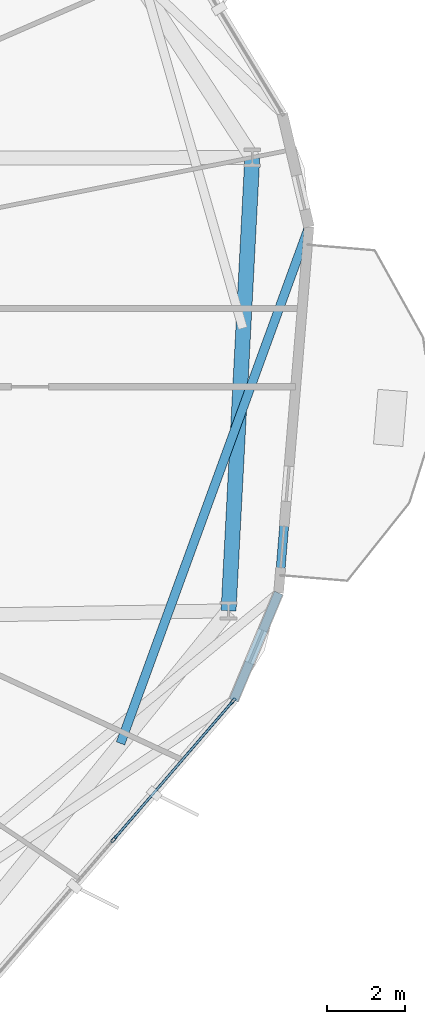
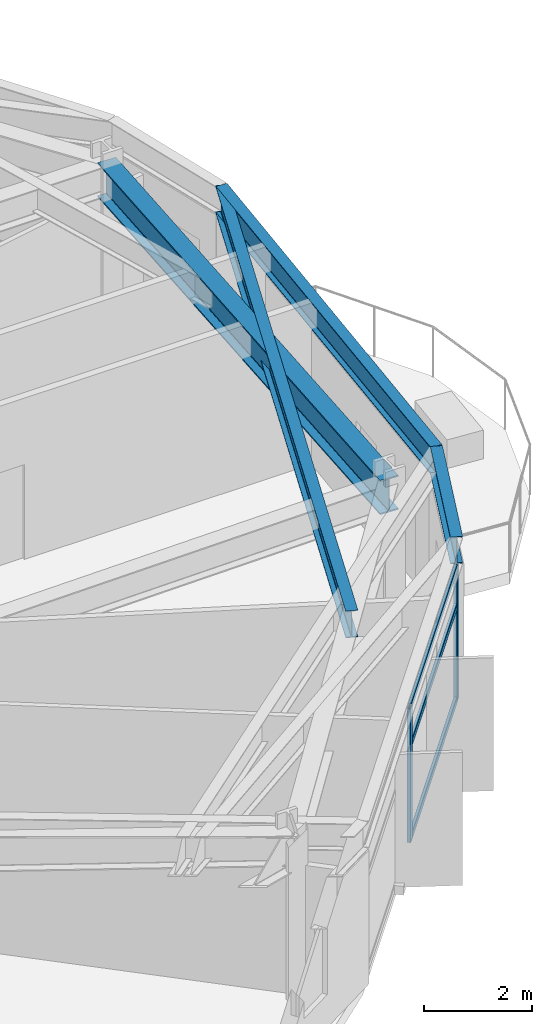
# One storey, part 9 of 21: 5 members, 4 beams, 1 element without a shape of its own.
"""IFC4 building model written with IfcOpenShell, lengths in metres."""

from ifc_helpers import new_model, si_unit, direction, frame, origin, origin_2d, place, context, subcontext, project, spatial, hollow_rectangle, i_section, extrude, material, layer, layer_set, material_profile, profile_set, type_object, element, aggregate, save


model = new_model("IFC4")

# Units and contexts
model_context = context("Model", 3, precision=1e-05, world=origin(), true_north=direction((0.0, 1.0)))
body_context = subcontext(model_context, "Body", "Model", "MODEL_VIEW")
ifc_project = project(units=[si_unit("LENGTHUNIT", "METRE"), si_unit("AREAUNIT", "SQUARE_METRE"), si_unit("VOLUMEUNIT", "CUBIC_METRE"), si_unit("PLANEANGLEUNIT", "RADIAN"), si_unit("MASSUNIT", "GRAM", prefix="KILO")], contexts=[model_context])

# Site, building, storey
site_placement = place(None, origin())
site = spatial("IfcSite", under=ifc_project, at=site_placement, CompositionType="ELEMENT")
building_placement = place(site_placement, origin())
building = spatial("IfcBuilding", under=site, at=building_placement, Name="Soratama Intermodal Tower", CompositionType="ELEMENT")
storey_placement = place(building_placement, frame((0.0, 0.0, 78.60009765625)))
storey = spatial("IfcBuildingStorey", under=building, at=storey_placement, Name="L18", CompositionType="ELEMENT", Elevation=78.60009765625)

# Beams
ifc_material_1 = material(Name="Structural steel ASTM A992 Grade 50", Category="steel")
ifc_material_profile_1 = material_profile(ifc_material_1, i_section(OverallWidth=0.382080078125, OverallDepth=0.779052734375, WebThickness=0.01806640625, FlangeThickness=0.030029296875, FilletRadius=0.01806640625, at=origin_2d()), Name="W30X191")
ifc_profile_set_1 = profile_set([ifc_material_profile_1], Name="Structural steel ASTM A992 Grade 50")
beam_type_1 = type_object("IfcBeamType", Name="BM-RING-W30X191", PredefinedType="BEAM", material=ifc_profile_set_1)
beam_1_placement = place(storey_placement, frame((62.47705078125, 18.291015625, 3.2705078125), z_axis=(0.052289698717, 0.998631957935, 0.0), x_axis=(-0.998631957935, 0.052289698717, 0.0)))
element("IfcBeam", 1, at=beam_1_placement, inside=storey, type_object=beam_type_1, Name="BM-L18-RING-10", PredefinedType="BEAM", context=body_context, shape_type="SweptSolid", body=[
    extrude(i_section(OverallWidth=0.382080078125, OverallDepth=0.779052734375, WebThickness=0.01806640625, FlangeThickness=0.030029296875, FilletRadius=0.01806640625, at=origin_2d()), origin(), (0.0, 0.0, 1.0), 11.56982421875),
])
ifc_material_2 = material(Name="Structural steel ASTM A992 Grade 50", Category="steel")
ifc_material_profile_2 = material_profile(ifc_material_2, i_section(OverallWidth=0.22900390625, OverallDepth=0.612060546875, WebThickness=0.011962890625, FlangeThickness=0.01953125, FilletRadius=0.012939453125, at=origin_2d()), Name="W24X84")
ifc_profile_set_2 = profile_set([ifc_material_profile_2], Name="Structural steel ASTM A992 Grade 50")
beam_type_2 = type_object("IfcBeamType", Name="BM-SPN-W24X84", PredefinedType="SPANDREL", material=ifc_profile_set_2)
beam_2_placement = place(storey_placement, frame((62.60693359375, 16.011962890625, 3.35400390625), z_axis=(0.386327000358, 0.922361886027, 0.0), x_axis=(-0.922361886027, 0.386327000358, 0.0)))
element("IfcBeam", 2, at=beam_2_placement, inside=storey, type_object=beam_type_2, Name="BS-L18-CRN09", PredefinedType="SPANDREL", context=body_context, shape_type="SweptSolid", body=[
    extrude(i_section(OverallWidth=0.22900390625, OverallDepth=0.612060546875, WebThickness=0.011962890625, FlangeThickness=0.01953125, FilletRadius=0.012939453125, at=origin_2d()), origin(), (0.0, 0.0, 1.0), 2.96630859375),
])
beam_3_placement = place(storey_placement, frame((63.7529296875, 18.748046875, 3.35400390625), z_axis=(0.082693689955, 0.996575011548, 0.0), x_axis=(-0.996575011548, 0.082693689955, 0.0)))
element("IfcBeam", 3, at=beam_3_placement, inside=storey, type_object=beam_type_2, Name="BS-L18-F10", PredefinedType="SPANDREL", context=body_context, shape_type="SweptSolid", body=[
    extrude(i_section(OverallWidth=0.22900390625, OverallDepth=0.612060546875, WebThickness=0.011962890625, FlangeThickness=0.01953125, FilletRadius=0.012939453125, at=origin_2d()), origin(), (0.0, 0.0, 1.0), 9.36181640625),
])
ifc_material_3 = material(Name="Structural steel ASTM A992 Grade 50", Category="steel")
ifc_material_profile_3 = material_profile(ifc_material_3, i_section(OverallWidth=0.22900390625, OverallDepth=0.612060546875, WebThickness=0.011962890625, FlangeThickness=0.01953125, FilletRadius=0.012939453125, at=origin_2d()), Name="W24X84")
ifc_profile_set_3 = profile_set([ifc_material_profile_3], Name="Structural steel ASTM A992 Grade 50")
beam_type_3 = type_object("IfcBeamType", Name="BM-TIE-W24X84", PredefinedType="BEAM", material=ifc_profile_set_3)
beam_4_placement = place(storey_placement, frame((59.72412109375, 14.9130859375, 3.35400390625), z_axis=(0.342737435568, 0.939431237643, 0.0), x_axis=(-0.939431237643, 0.342737435568, 0.0)))
element("IfcBeam", 4, at=beam_4_placement, inside=storey, type_object=beam_type_3, Name="BM-L18-TIE1-10", PredefinedType="BEAM", context=body_context, shape_type="SweptSolid", body=[
    extrude(i_section(OverallWidth=0.22900390625, OverallDepth=0.612060546875, WebThickness=0.011962890625, FlangeThickness=0.01953125, FilletRadius=0.012939453125, at=origin_2d()), origin(), (0.0, 0.0, 1.0), 14.013671875),
])

# Curtain wall, members
ifc_material_4 = material(Name="Double-glazed aluminium curtain wall", Category="aluminium")
ifc_layer = layer(ifc_material_4, 0.159912109375)
ifc_layer_set = layer_set([ifc_layer], Name="Double-glazed aluminium curtain wall")
curtain_wall_type = type_object("IfcCurtainWallType", Name="CW-SYS-2", PredefinedType="NOTDEFINED", material=ifc_layer_set)
curtain_wall_placement = place(storey_placement, origin())
curtain_wall = element("IfcCurtainWall", 5, at=curtain_wall_placement, inside=storey, type_object=curtain_wall_type, Name="L18 Faceted Curtain Wall F09", PredefinedType="NOTDEFINED")
ifc_material_5 = material(Name="Anodised aluminium AA 6063-T6", Category="aluminium")
ifc_material_profile_4 = material_profile(ifc_material_5, hollow_rectangle(XDim=0.074951171875, YDim=0.179931640625, WallThickness=0.006103515625, InnerFilletRadius=0.006103515625, OuterFilletRadius=0.011962890625, at=origin_2d()), Name="CWM180X75X6")
ifc_profile_set_4 = profile_set([ifc_material_profile_4], Name="Anodised aluminium AA 6063-T6")
member_type_1 = type_object("IfcMemberType", Name="MT-CWM-2", PredefinedType="MULLION", material=ifc_profile_set_4)
member_1_placement = place(storey_placement, frame((59.5517578125, 12.4658203125, 0.0), z_axis=(0.0, 0.0, 1.0), x_axis=(-0.757677681537, 0.652628938142, 0.0)))
member_1 = element("IfcMember", 6, at=member_1_placement, type_object=member_type_1, Name="CW-2 mullion 2", PredefinedType="MULLION", context=body_context, shape_type="SweptSolid", body=[
    extrude(hollow_rectangle(XDim=0.074951171875, YDim=0.179931640625, WallThickness=0.006103515625, InnerFilletRadius=0.006103515625, OuterFilletRadius=0.011962890625, at=origin_2d()), origin(), (0.0, 0.0, 1.0), 3.038818359375),
])
member_2_placement = place(storey_placement, frame((62.5869140625, 15.989501953125, 0.0), z_axis=(0.0, 0.0, 1.0), x_axis=(-0.757677681537, 0.652628938142, 0.0)))
member_2 = element("IfcMember", 7, at=member_2_placement, type_object=member_type_1, Name="CW-2 mullion 3", PredefinedType="MULLION", context=body_context, shape_type="SweptSolid", body=[
    extrude(hollow_rectangle(XDim=0.074951171875, YDim=0.179931640625, WallThickness=0.006103515625, InnerFilletRadius=0.006103515625, OuterFilletRadius=0.011962890625, at=origin_2d()), origin(), (0.0, 0.0, 1.0), 3.038818359375),
])
ifc_material_6 = material(Name="Anodised aluminium AA 6063-T6", Category="aluminium")
ifc_material_profile_5 = material_profile(ifc_material_6, hollow_rectangle(XDim=0.06494140625, YDim=0.14990234375, WallThickness=0.0048828125, InnerFilletRadius=0.0048828125, OuterFilletRadius=0.010009765625, at=origin_2d()), Name="CWT150X65X5")
ifc_profile_set_5 = profile_set([ifc_material_profile_5], Name="Anodised aluminium AA 6063-T6")
member_type_2 = type_object("IfcMemberType", Name="TT-CWT-1", PredefinedType="USERDEFINED", material=ifc_profile_set_5)
member_3_placement = place(storey_placement, frame((59.571533203125, 12.488525390625, 0.02978515625), z_axis=(0.652607111761, 0.757696481237, 0.0), x_axis=(-0.757696481237, 0.652607111761, 0.0)))
member_3 = element("IfcMember", 8, at=member_3_placement, type_object=member_type_2, Name="CW-2 transom 2.1", ObjectType="TRANSOM", PredefinedType="USERDEFINED", context=body_context, shape_type="SweptSolid", body=[
    extrude(hollow_rectangle(XDim=0.06494140625, YDim=0.14990234375, WallThickness=0.0048828125, InnerFilletRadius=0.0048828125, OuterFilletRadius=0.010009765625, at=origin_2d()), origin(), (0.0, 0.0, 1.0), 4.590576171875),
])
member_4_placement = place(storey_placement, frame((59.571533203125, 12.488525390625, 2.14990234375), z_axis=(0.652607111761, 0.757696481237, 0.0), x_axis=(-0.757696481237, 0.652607111761, 0.0)))
member_4 = element("IfcMember", 9, at=member_4_placement, type_object=member_type_2, Name="CW-2 transom 2.2", ObjectType="TRANSOM", PredefinedType="USERDEFINED", context=body_context, shape_type="SweptSolid", body=[
    extrude(hollow_rectangle(XDim=0.06494140625, YDim=0.14990234375, WallThickness=0.0048828125, InnerFilletRadius=0.0048828125, OuterFilletRadius=0.010009765625, at=origin_2d()), origin(), (0.0, 0.0, 1.0), 4.590576171875),
])
member_5_placement = place(storey_placement, frame((59.571533203125, 12.488525390625, 3.0087890625), z_axis=(0.652607111761, 0.757696481237, 0.0), x_axis=(-0.757696481237, 0.652607111761, 0.0)))
member_5 = element("IfcMember", 10, at=member_5_placement, type_object=member_type_2, Name="CW-2 transom 2.3", ObjectType="TRANSOM", PredefinedType="USERDEFINED", context=body_context, shape_type="SweptSolid", body=[
    extrude(hollow_rectangle(XDim=0.06494140625, YDim=0.14990234375, WallThickness=0.0048828125, InnerFilletRadius=0.0048828125, OuterFilletRadius=0.010009765625, at=origin_2d()), origin(), (0.0, 0.0, 1.0), 4.590576171875),
])
aggregate(curtain_wall, [member_1, member_2, member_3, member_4, member_5])

save(model, "model.ifc")
